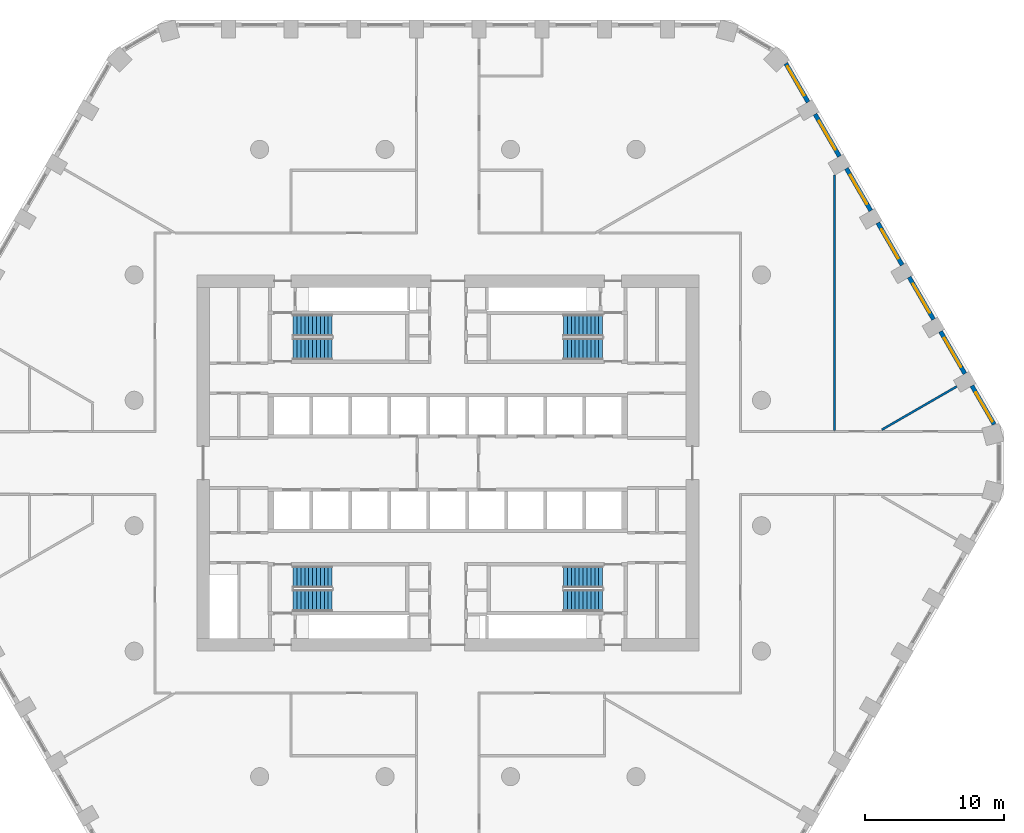
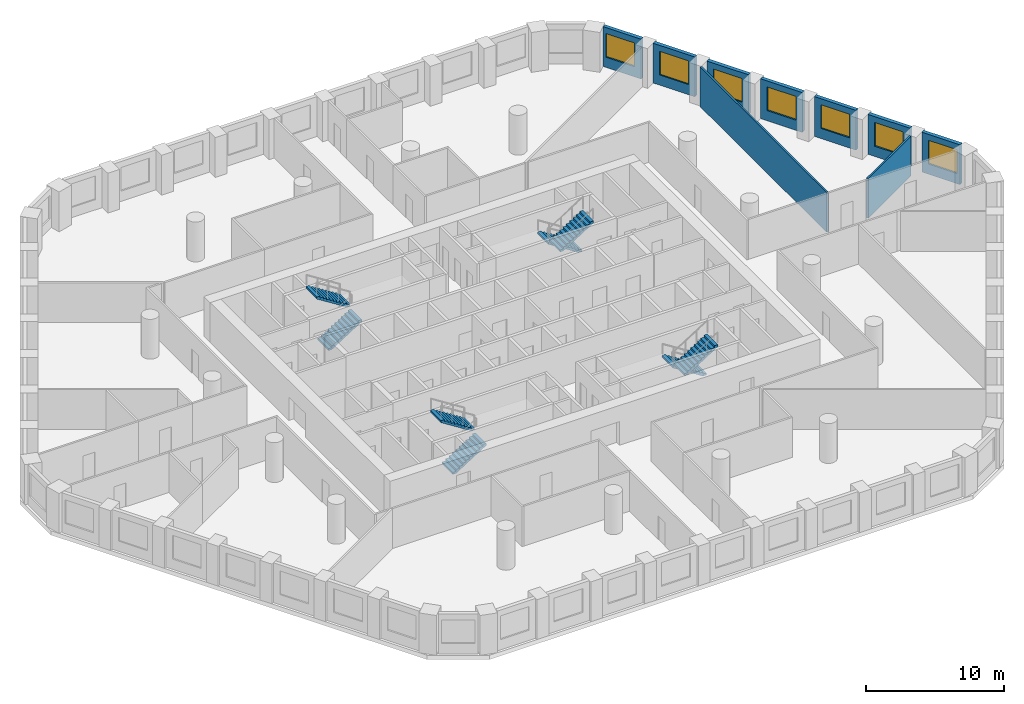
# One storey, part 9 of 10: 9 walls, 8 stair flights, 7 windows, 7 openings, 4 elements without a shape of their own.
"""IFC4 building model written with IfcOpenShell, lengths in metres."""

import ifcopenshell
import ifcopenshell.guid

model = None  # the IFC model being written
_history = None  # IfcOwnerHistory: only IFC2X3 demands one
_inside = {}  # id of a spatial element -> (the spatial element, [elements in it])
_under = {}  # id of a project, library or spatial element -> (it, [spatial elements below it])
_declared = {}  # id of a project -> (the project, [libraries it declares])
_typed = {}  # id of a type object -> (the type object, [elements of that type])
_made_of = {}  # id of a material, layer set ... -> (it, [elements and type objects made of it])


def new_model(schema):
    """Start an empty IFC model of exactly this schema.

    Asked for "IFC4X3", IfcOpenShell would pick the latest addendum, in which some entities
    have other attributes; the version numbers below select the first issue.
    IFC2X3 requires an IfcOwnerHistory on every rooted entity: one is made here for all.
    """
    global model, _history
    if schema == "IFC4X3":
        model = ifcopenshell.file(schema_version=(4, 3, 0, 0))
    else:
        model = ifcopenshell.file(schema=schema)
    _inside.clear()
    _under.clear()
    _declared.clear()
    _typed.clear()
    _made_of.clear()
    _history = None
    if model.schema == "IFC2X3":
        org = make("IfcOrganization", Name="unknown")
        user = make(
            "IfcPersonAndOrganization",
            ThePerson=make("IfcPerson", FamilyName="unknown"),
            TheOrganization=org,
        )
        app = make(
            "IfcApplication",
            ApplicationDeveloper=org,
            Version="unknown",
            ApplicationFullName="unknown",
            ApplicationIdentifier="unknown",
        )
        _history = make(
            "IfcOwnerHistory",
            OwningUser=user,
            OwningApplication=app,
            ChangeAction="ADDED",
            CreationDate=0,
        )
    return model


def make(cls, **values):
    """One entity of the class cls with the attributes given. An attribute that is None is left unset."""
    return model.create_entity(
        cls, **{name: value for name, value in values.items() if value is not None}
    )


def rooted(cls, **values):
    """An entity with a GlobalId (a new one), such as an element, a storey or a relation."""
    return make(cls, GlobalId=ifcopenshell.guid.new(), OwnerHistory=_history, **values)


def si_unit(unit_type, name, prefix=None):
    """IfcSIUnit, for example si_unit("LENGTHUNIT", "METRE", prefix="MILLI")."""
    return make("IfcSIUnit", UnitType=unit_type, Prefix=prefix, Name=name)


def assignment(units):
    """IfcUnitAssignment: the units of a project."""
    return None if units is None else make("IfcUnitAssignment", Units=units)


def point(xyz):
    """IfcCartesianPoint."""
    return None if xyz is None else make("IfcCartesianPoint", Coordinates=xyz)


def direction(xyz):
    """IfcDirection."""
    return None if xyz is None else make("IfcDirection", DirectionRatios=xyz)


def frame(location, z_axis=None, x_axis=None):
    """IfcAxis2Placement3D, a coordinate frame: its origin and axes. An axis left out is left unset."""
    return make(
        "IfcAxis2Placement3D",
        Location=point(location),
        Axis=direction(z_axis),
        RefDirection=direction(x_axis),
    )


def frame_2d(location, x_axis=None):
    """IfcAxis2Placement2D, a coordinate frame in the plane: its origin and x axis."""
    return make(
        "IfcAxis2Placement2D", Location=point(location), RefDirection=direction(x_axis)
    )


def origin():
    """The frame at (0, 0, 0) with its axes left unset."""
    return frame((0.0, 0.0, 0.0))


def place(relative_to, where):
    """IfcLocalPlacement: puts the frame where relative to a parent placement (None: the world)."""
    return make(
        "IfcLocalPlacement", PlacementRelTo=relative_to, RelativePlacement=where
    )


def context(
    kind, dimensions, precision=None, world=None, true_north=None, identifier=None
):
    """IfcGeometricRepresentationContext, for example the 3D "Model" context."""
    return make(
        "IfcGeometricRepresentationContext",
        ContextIdentifier=identifier,
        ContextType=kind,
        CoordinateSpaceDimension=dimensions,
        Precision=precision,
        WorldCoordinateSystem=world,
        TrueNorth=true_north,
    )


def subcontext(parent, identifier, kind, view, scale=None):
    """IfcGeometricRepresentationSubContext, for example "Body" below "Model"."""
    return make(
        "IfcGeometricRepresentationSubContext",
        ContextIdentifier=identifier,
        ContextType=kind,
        ParentContext=parent,
        TargetScale=scale,
        TargetView=view,
    )


def project(units=None, contexts=None):
    """IfcProject with its units and contexts."""
    return rooted(
        "IfcProject",
        Name="project",
        RepresentationContexts=contexts,
        UnitsInContext=assignment(units),
    )


def spatial(cls, under=None, at=None, **own):
    """A site, building, storey or space (cls), placed at a placement, below another one or the project."""
    s = rooted(cls, ObjectPlacement=at, **own)
    if under is not None:
        _under.setdefault(under.id(), (under, []))[1].append(s)
    return s


def polyline(points):
    """IfcPolyline through the points."""
    return make("IfcPolyline", Points=[point(p) for p in points])


def profile(cls, at=None, kind="AREA", **sizes):
    """A parametric profile (cls). Its sizes go by their IFC names, for example OverallWidth=200.0."""
    return make(cls, ProfileType=kind, Position=at, **sizes)


def rectangle(**sizes):
    """IfcRectangleProfileDef."""
    return profile("IfcRectangleProfileDef", **sizes)


def outline(outer, holes=None, kind="AREA"):
    """IfcArbitraryClosedProfileDef: a profile drawn as a closed curve; with holes, ...WithVoids."""
    if holes is None:
        return make("IfcArbitraryClosedProfileDef", ProfileType=kind, OuterCurve=outer)
    return make(
        "IfcArbitraryProfileDefWithVoids",
        ProfileType=kind,
        OuterCurve=outer,
        InnerCurves=holes,
    )


def extrude(swept, where, along, depth):
    """IfcExtrudedAreaSolid: the profile swept, set in the frame where, extruded along a direction by depth."""
    return make(
        "IfcExtrudedAreaSolid",
        SweptArea=swept,
        Position=where,
        ExtrudedDirection=direction(along),
        Depth=depth,
    )


def shape(context_of_items, identifier, shape_type, items):
    """IfcShapeRepresentation: the items that make up one representation, for example the "Body"."""
    return make(
        "IfcShapeRepresentation",
        ContextOfItems=context_of_items,
        RepresentationIdentifier=identifier,
        RepresentationType=shape_type,
        Items=items,
    )


def material(Name=None, Category=None):
    """IfcMaterial."""
    return make("IfcMaterial", Name=Name, Category=Category)


def layer(
    of_material, thickness, ventilated=None, Name=None, Category=None, Priority=None
):
    """IfcMaterialLayer: one layer of a wall or slab, of a material (None: an air gap)."""
    return make(
        "IfcMaterialLayer",
        Material=of_material,
        LayerThickness=thickness,
        IsVentilated=ventilated,
        Name=Name,
        Category=Category,
        Priority=Priority,
    )


def layer_set(layers, Name=None):
    """IfcMaterialLayerSet."""
    return make("IfcMaterialLayerSet", MaterialLayers=layers, LayerSetName=Name)


def made_of(thing, what):
    """Note that an element or type object is made of a material, layer set ...; save() writes the relation."""
    if what is not None:
        _made_of.setdefault(what.id(), (what, []))[1].append(thing)
    return thing


def type_object(cls, material=None, **own):
    """A type object (cls), such as IfcWallType, which elements share."""
    return made_of(rooted(cls, **own), material)


def element(
    cls,
    number,
    at=None,
    inside=None,
    cuts=None,
    type_object=None,
    material=None,
    context=None,
    identifier="Body",
    shape_type=None,
    held_by="IfcProductDefinitionShape",
    body=None,
    shapes=None,
    **own,
):
    """One element of the class cls, such as IfcWall. Its Tag is "e" and its number.

    at: its placement. inside: the storey or other place that contains it. cuts: it is an
    opening in that element (IfcRelVoidsElement). A single representation is given by context,
    identifier, shape_type and body (its items); several are given by shapes. held_by: the class
    of the entity that holds the representations. save() writes the other relations.
    """
    e = rooted(cls, Tag="e%d" % number, ObjectPlacement=at, **own)
    if body is not None:
        shapes = [shape(context, identifier, shape_type, body)]
    if shapes is not None:
        e.Representation = make(held_by, Representations=shapes)
    if inside is not None:
        _inside.setdefault(inside.id(), (inside, []))[1].append(e)
    if cuts is not None:
        rooted(
            "IfcRelVoidsElement", RelatingBuildingElement=cuts, RelatedOpeningElement=e
        )
    if type_object is not None:
        _typed.setdefault(type_object.id(), (type_object, []))[1].append(e)
    return made_of(e, material)


def fill(opening, filler):
    """IfcRelFillsElement: the door or window that sits in an opening."""
    return rooted(
        "IfcRelFillsElement",
        RelatingOpeningElement=opening,
        RelatedBuildingElement=filler,
    )


def aggregate(whole, parts):
    """IfcRelAggregates: a whole, such as a stair, and the parts it consists of."""
    return rooted("IfcRelAggregates", RelatingObject=whole, RelatedObjects=parts)


def save(model, path):
    """Write the relations noted so far, then the file.

    IfcRelAggregates (storeys below a building ...), IfcRelContainedInSpatialStructure (elements
    in a storey), IfcRelDefinesByType, IfcRelAssociatesMaterial and IfcRelDeclares: one each for
    every whole, place, type object, material and project.
    """
    for whole, parts in _under.values():
        aggregate(whole, parts)
    for where, things in _inside.values():
        rooted(
            "IfcRelContainedInSpatialStructure",
            RelatedElements=things,
            RelatingStructure=where,
        )
    for kind, things in _typed.values():
        rooted("IfcRelDefinesByType", RelatedObjects=things, RelatingType=kind)
    for what, things in _made_of.values():
        rooted("IfcRelAssociatesMaterial", RelatedObjects=things, RelatingMaterial=what)
    for by, libraries in _declared.values():
        rooted("IfcRelDeclares", RelatingContext=by, RelatedDefinitions=libraries)
    model.write(path)


model = new_model("IFC4")

# Units and contexts
model_context = context("Model", 3, precision=1e-05, world=origin(), true_north=direction((0.0, 1.0)))
body_context = subcontext(model_context, "Body", "Model", "MODEL_VIEW")
ifc_project = project(units=[si_unit("LENGTHUNIT", "METRE"), si_unit("AREAUNIT", "SQUARE_METRE"), si_unit("VOLUMEUNIT", "CUBIC_METRE"), si_unit("PLANEANGLEUNIT", "RADIAN"), si_unit("MASSUNIT", "GRAM", prefix="KILO")], contexts=[model_context])

# Site, building, storey
site_placement = place(None, origin())
site = spatial("IfcSite", under=ifc_project, at=site_placement, CompositionType="ELEMENT")
building_placement = place(site_placement, origin())
building = spatial("IfcBuilding", under=site, at=building_placement, Name="Dhurran Vertical Campus", CompositionType="ELEMENT")
storey_placement = place(building_placement, frame((0.0, 0.0, 108.60009765625)))
storey = spatial("IfcBuildingStorey", under=building, at=storey_placement, Name="L26", CompositionType="ELEMENT", Elevation=108.60009765625)

# Wall, opening, window
ifc_material_1 = material(Name="Precast concrete C50/60", Category="concrete")
ifc_layer_1 = layer(ifc_material_1, 0.300048828125)
ifc_layer_set_1 = layer_set([ifc_layer_1], Name="Precast concrete C50/60")
wall_type_1 = type_object("IfcWallType", Name="Precast spandrel wall 300", PredefinedType="SOLIDWALL", material=ifc_layer_set_1)
wall_1_placement = place(storey_placement, frame((39.1904296875, 2.774169921875, 0.0), z_axis=(0.0, 0.0, 1.0), x_axis=(-0.500004907028, 0.866022570692, 0.0)))
wall_1 = element("IfcWall", 1, at=wall_1_placement, inside=storey, type_object=wall_type_1, Name="EW1 L26.18", PredefinedType="SOLIDWALL", context=body_context, shape_type="SweptSolid", body=[
    extrude(rectangle(XDim=3.1923828125, YDim=0.300048828125, at=frame_2d((1.59619140625, 0.0))), origin(), (0.0, 0.0, 1.0), 3.52490234375),
])
opening_1_placement = place(wall_1_placement, frame((0.242919921875, 0.0, 0.89990234375)))
opening_1 = element("IfcOpeningElement", 2, at=opening_1_placement, cuts=wall_1, Name="Opening WT1", PredefinedType="OPENING", context=body_context, shape_type="SweptSolid", body=[
    extrude(rectangle(XDim=2.39990234375, YDim=2.10009765625, at=frame_2d((1.199951171875, 1.050048828125))), frame((0.0, 0.159912109375, 0.0), z_axis=(0.0, -1.0, 0.0), x_axis=(1.0, 0.0, 0.0)), (0.0, 0.0, 1.0), 0.320068359375),
])
ifc_material_2 = material(Name="Aluminium frame with solar-control glass", Category="aluminium")
window_type = type_object("IfcWindowType", Name="Punched window 2400 x 2100", PartitioningType="SINGLE_PANEL", PredefinedType="WINDOW", material=ifc_material_2)
window_1_placement = place(opening_1_placement, origin())
window_1 = element("IfcWindow", 3, at=window_1_placement, inside=storey, type_object=window_type, Name="WT1 L26.18", OverallHeight=2.10009765625, OverallWidth=2.39990234375, PartitioningType="SINGLE_PANEL", PredefinedType="WINDOW", context=body_context, shape_type="SweptSolid", body=[
    extrude(rectangle(XDim=2.39990234375, YDim=2.10009765625, at=frame_2d((1.199951171875, 1.050048828125))), frame((0.0, 0.030029296875, 0.0), z_axis=(0.0, -1.0, 0.0), x_axis=(1.0, 0.0, 0.0)), (0.0, 0.0, 1.0), 0.06005859375),
])
fill(opening_1, window_1)

wall_2_placement = place(storey_placement, frame((37.09375, 6.405517578125, 0.0), z_axis=(0.0, 0.0, 1.0), x_axis=(-0.499996256241, 0.866027565234, 0.0)))
wall_2 = element("IfcWall", 4, at=wall_2_placement, inside=storey, type_object=wall_type_1, Name="EW1 L26.19", PredefinedType="SOLIDWALL", context=body_context, shape_type="SweptSolid", body=[
    extrude(rectangle(XDim=3.4990234375, YDim=0.300048828125, at=frame_2d((1.74951171875, 0.0))), origin(), (0.0, 0.0, 1.0), 3.52490234375),
])
opening_2_placement = place(wall_2_placement, frame((0.549560546875, 0.0, 0.89990234375)))
opening_2 = element("IfcOpeningElement", 5, at=opening_2_placement, cuts=wall_2, Name="Opening WT1", PredefinedType="OPENING", context=body_context, shape_type="SweptSolid", body=[
    extrude(rectangle(XDim=2.39990234375, YDim=2.10009765625, at=frame_2d((1.199951171875, 1.050048828125))), frame((0.0, 0.159912109375, 0.0), z_axis=(0.0, -1.0, 0.0), x_axis=(1.0, 0.0, 0.0)), (0.0, 0.0, 1.0), 0.320068359375),
])
window_2_placement = place(opening_2_placement, origin())
window_2 = element("IfcWindow", 6, at=window_2_placement, inside=storey, type_object=window_type, Name="WT1 L26.19", OverallHeight=2.10009765625, OverallWidth=2.39990234375, PartitioningType="SINGLE_PANEL", PredefinedType="WINDOW", context=body_context, shape_type="SweptSolid", body=[
    extrude(rectangle(XDim=2.39990234375, YDim=2.10009765625, at=frame_2d((1.199951171875, 1.050048828125))), frame((0.0, 0.030029296875, 0.0), z_axis=(0.0, -1.0, 0.0), x_axis=(1.0, 0.0, 0.0)), (0.0, 0.0, 1.0), 0.06005859375),
])
fill(opening_2, window_2)

wall_3_placement = place(storey_placement, frame((34.84375, 10.302734375, 0.0), z_axis=(0.0, 0.0, 1.0), x_axis=(-0.499996256241, 0.866027565234, 0.0)))
wall_3 = element("IfcWall", 7, at=wall_3_placement, inside=storey, type_object=wall_type_1, Name="EW1 L26.20", PredefinedType="SOLIDWALL", context=body_context, shape_type="SweptSolid", body=[
    extrude(rectangle(XDim=3.4990234375, YDim=0.300048828125, at=frame_2d((1.74951171875, 0.0))), origin(), (0.0, 0.0, 1.0), 3.52490234375),
])
opening_3_placement = place(wall_3_placement, frame((0.549560546875, 0.0, 0.89990234375)))
opening_3 = element("IfcOpeningElement", 8, at=opening_3_placement, cuts=wall_3, Name="Opening WT1", PredefinedType="OPENING", context=body_context, shape_type="SweptSolid", body=[
    extrude(rectangle(XDim=2.39990234375, YDim=2.10009765625, at=frame_2d((1.199951171875, 1.050048828125))), frame((0.0, 0.159912109375, 0.0), z_axis=(0.0, -1.0, 0.0), x_axis=(1.0, 0.0, 0.0)), (0.0, 0.0, 1.0), 0.320068359375),
])
window_3_placement = place(opening_3_placement, origin())
window_3 = element("IfcWindow", 9, at=window_3_placement, inside=storey, type_object=window_type, Name="WT1 L26.20", OverallHeight=2.10009765625, OverallWidth=2.39990234375, PartitioningType="SINGLE_PANEL", PredefinedType="WINDOW", context=body_context, shape_type="SweptSolid", body=[
    extrude(rectangle(XDim=2.39990234375, YDim=2.10009765625, at=frame_2d((1.199951171875, 1.050048828125))), frame((0.0, 0.030029296875, 0.0), z_axis=(0.0, -1.0, 0.0), x_axis=(1.0, 0.0, 0.0)), (0.0, 0.0, 1.0), 0.06005859375),
])
fill(opening_3, window_3)

wall_4_placement = place(storey_placement, frame((32.59375, 14.19970703125, 0.0), z_axis=(0.0, 0.0, 1.0), x_axis=(-0.499996256241, 0.866027565234, 0.0)))
wall_4 = element("IfcWall", 10, at=wall_4_placement, inside=storey, type_object=wall_type_1, Name="EW1 L26.21", PredefinedType="SOLIDWALL", context=body_context, shape_type="SweptSolid", body=[
    extrude(rectangle(XDim=3.4990234375, YDim=0.300048828125, at=frame_2d((1.74951171875, 0.0))), origin(), (0.0, 0.0, 1.0), 3.52490234375),
])
opening_4_placement = place(wall_4_placement, frame((0.549560546875, 0.0, 0.89990234375)))
opening_4 = element("IfcOpeningElement", 11, at=opening_4_placement, cuts=wall_4, Name="Opening WT1", PredefinedType="OPENING", context=body_context, shape_type="SweptSolid", body=[
    extrude(rectangle(XDim=2.39990234375, YDim=2.10009765625, at=frame_2d((1.199951171875, 1.050048828125))), frame((0.0, 0.159912109375, 0.0), z_axis=(0.0, -1.0, 0.0), x_axis=(1.0, 0.0, 0.0)), (0.0, 0.0, 1.0), 0.320068359375),
])
window_4_placement = place(opening_4_placement, origin())
window_4 = element("IfcWindow", 12, at=window_4_placement, inside=storey, type_object=window_type, Name="WT1 L26.21", OverallHeight=2.10009765625, OverallWidth=2.39990234375, PartitioningType="SINGLE_PANEL", PredefinedType="WINDOW", context=body_context, shape_type="SweptSolid", body=[
    extrude(rectangle(XDim=2.39990234375, YDim=2.10009765625, at=frame_2d((1.199951171875, 1.050048828125))), frame((0.0, 0.030029296875, 0.0), z_axis=(0.0, -1.0, 0.0), x_axis=(1.0, 0.0, 0.0)), (0.0, 0.0, 1.0), 0.06005859375),
])
fill(opening_4, window_4)

wall_5_placement = place(storey_placement, frame((30.34375, 18.096923828125, 0.0), z_axis=(0.0, 0.0, 1.0), x_axis=(-0.499996256241, 0.866027565234, 0.0)))
wall_5 = element("IfcWall", 13, at=wall_5_placement, inside=storey, type_object=wall_type_1, Name="EW1 L26.22", PredefinedType="SOLIDWALL", context=body_context, shape_type="SweptSolid", body=[
    extrude(rectangle(XDim=3.4990234375, YDim=0.300048828125, at=frame_2d((1.74951171875, 0.0))), origin(), (0.0, 0.0, 1.0), 3.52490234375),
])
opening_5_placement = place(wall_5_placement, frame((0.549560546875, 0.0, 0.89990234375)))
opening_5 = element("IfcOpeningElement", 14, at=opening_5_placement, cuts=wall_5, Name="Opening WT1", PredefinedType="OPENING", context=body_context, shape_type="SweptSolid", body=[
    extrude(rectangle(XDim=2.39990234375, YDim=2.10009765625, at=frame_2d((1.199951171875, 1.050048828125))), frame((0.0, 0.159912109375, 0.0), z_axis=(0.0, -1.0, 0.0), x_axis=(1.0, 0.0, 0.0)), (0.0, 0.0, 1.0), 0.320068359375),
])
window_5_placement = place(opening_5_placement, origin())
window_5 = element("IfcWindow", 15, at=window_5_placement, inside=storey, type_object=window_type, Name="WT1 L26.22", OverallHeight=2.10009765625, OverallWidth=2.39990234375, PartitioningType="SINGLE_PANEL", PredefinedType="WINDOW", context=body_context, shape_type="SweptSolid", body=[
    extrude(rectangle(XDim=2.39990234375, YDim=2.10009765625, at=frame_2d((1.199951171875, 1.050048828125))), frame((0.0, 0.030029296875, 0.0), z_axis=(0.0, -1.0, 0.0), x_axis=(1.0, 0.0, 0.0)), (0.0, 0.0, 1.0), 0.06005859375),
])
fill(opening_5, window_5)

wall_6_placement = place(storey_placement, frame((28.09375, 21.993896484375, 0.0), z_axis=(0.0, 0.0, 1.0), x_axis=(-0.499996256241, 0.866027565234, 0.0)))
wall_6 = element("IfcWall", 16, at=wall_6_placement, inside=storey, type_object=wall_type_1, Name="EW1 L26.23", PredefinedType="SOLIDWALL", context=body_context, shape_type="SweptSolid", body=[
    extrude(rectangle(XDim=3.4990234375, YDim=0.300048828125, at=frame_2d((1.74951171875, 0.0))), origin(), (0.0, 0.0, 1.0), 3.52490234375),
])
opening_6_placement = place(wall_6_placement, frame((0.549560546875, 0.0, 0.89990234375)))
opening_6 = element("IfcOpeningElement", 17, at=opening_6_placement, cuts=wall_6, Name="Opening WT1", PredefinedType="OPENING", context=body_context, shape_type="SweptSolid", body=[
    extrude(rectangle(XDim=2.39990234375, YDim=2.10009765625, at=frame_2d((1.199951171875, 1.050048828125))), frame((0.0, 0.159912109375, 0.0), z_axis=(0.0, -1.0, 0.0), x_axis=(1.0, 0.0, 0.0)), (0.0, 0.0, 1.0), 0.320068359375),
])
window_6_placement = place(opening_6_placement, origin())
window_6 = element("IfcWindow", 18, at=window_6_placement, inside=storey, type_object=window_type, Name="WT1 L26.23", OverallHeight=2.10009765625, OverallWidth=2.39990234375, PartitioningType="SINGLE_PANEL", PredefinedType="WINDOW", context=body_context, shape_type="SweptSolid", body=[
    extrude(rectangle(XDim=2.39990234375, YDim=2.10009765625, at=frame_2d((1.199951171875, 1.050048828125))), frame((0.0, 0.030029296875, 0.0), z_axis=(0.0, -1.0, 0.0), x_axis=(1.0, 0.0, 0.0)), (0.0, 0.0, 1.0), 0.06005859375),
])
fill(opening_6, window_6)

wall_7_placement = place(storey_placement, frame((25.84375, 25.89111328125, 0.0), z_axis=(0.0, 0.0, 1.0), x_axis=(-0.500004907028, 0.866022570692, 0.0)))
wall_7 = element("IfcWall", 19, at=wall_7_placement, inside=storey, type_object=wall_type_1, Name="EW1 L26.24", PredefinedType="SOLIDWALL", context=body_context, shape_type="SweptSolid", body=[
    extrude(rectangle(XDim=3.1923828125, YDim=0.300048828125, at=frame_2d((1.59619140625, 0.0))), origin(), (0.0, 0.0, 1.0), 3.52490234375),
])
opening_7_placement = place(wall_7_placement, frame((0.549560546875, 0.0, 0.89990234375)))
opening_7 = element("IfcOpeningElement", 20, at=opening_7_placement, cuts=wall_7, Name="Opening WT1", PredefinedType="OPENING", context=body_context, shape_type="SweptSolid", body=[
    extrude(rectangle(XDim=2.39990234375, YDim=2.10009765625, at=frame_2d((1.199951171875, 1.050048828125))), frame((0.0, 0.159912109375, 0.0), z_axis=(0.0, -1.0, 0.0), x_axis=(1.0, 0.0, 0.0)), (0.0, 0.0, 1.0), 0.320068359375),
])
window_7_placement = place(opening_7_placement, origin())
window_7 = element("IfcWindow", 21, at=window_7_placement, inside=storey, type_object=window_type, Name="WT1 L26.24", OverallHeight=2.10009765625, OverallWidth=2.39990234375, PartitioningType="SINGLE_PANEL", PredefinedType="WINDOW", context=body_context, shape_type="SweptSolid", body=[
    extrude(rectangle(XDim=2.39990234375, YDim=2.10009765625, at=frame_2d((1.199951171875, 1.050048828125))), frame((0.0, 0.030029296875, 0.0), z_axis=(0.0, -1.0, 0.0), x_axis=(1.0, 0.0, 0.0)), (0.0, 0.0, 1.0), 0.06005859375),
])
fill(opening_7, window_7)

# Walls
ifc_material_3 = material(Name="Gypsum board partition on steel studs", Category="steel")
ifc_layer_2 = layer(ifc_material_3, 0.14990234375)
ifc_layer_set_2 = layer_set([ifc_layer_2], Name="Gypsum board partition on steel studs")
wall_type_2 = type_object("IfcWallType", Name="fl-PW-150 fixed partition", PredefinedType="PARTITIONING", material=ifc_layer_set_2)
wall_8_placement = place(storey_placement, frame((27.75, 20.6494140625, 0.0), z_axis=(0.0, 0.0, 1.0), x_axis=(0.0, -1.0, 0.0)))
element("IfcWall", 22, at=wall_8_placement, inside=storey, type_object=wall_type_2, Name="Partition 26-58", PredefinedType="PARTITIONING", context=body_context, shape_type="SweptSolid", body=[
    extrude(rectangle(XDim=18.324462890625, YDim=0.14990234375, at=frame_2d((9.162109375, 0.0))), origin(), (0.0, 0.0, 1.0), 3.52490234375),
])
wall_9_placement = place(storey_placement, frame((36.50390625, 5.4873046875, 0.0), z_axis=(0.0, 0.0, 1.0), x_axis=(-0.866007197923, -0.500031532152, 0.0)))
element("IfcWall", 23, at=wall_9_placement, inside=storey, type_object=wall_type_2, Name="Partition 26-62", PredefinedType="PARTITIONING", context=body_context, shape_type="SweptSolid", body=[
    extrude(rectangle(XDim=6.19921875, YDim=0.14990234375, at=frame_2d((3.099609375, 0.0))), origin(), (0.0, 0.0, 1.0), 3.52490234375),
])

# Stair, stair flights
ifc_material_4 = material(Name="Concrete C40/50", Category="concrete")
stair_type = type_object("IfcStairType", Name="co-ST-CORE", PredefinedType="HALF_TURN_STAIR", material=ifc_material_4)
stair_1_placement = place(storey_placement, origin())
stair_1 = element("IfcStair", 24, at=stair_1_placement, inside=storey, type_object=stair_type, Name="L26 Protected exit stair ST1", PredefinedType="HALF_TURN_STAIR")
ifc_material_5 = material(Name="Concrete C40/50", Category="concrete")
stair_flight_type = type_object("IfcStairFlightType", Name="co-SFL-RC", PredefinedType="STRAIGHT", material=ifc_material_5)
stair_flight_1_placement = place(storey_placement, frame((-11.10009765625, 8.175048828125, 0.0), z_axis=(0.0, 0.0, 1.0), x_axis=(1.0, 0.0, 0.0)))
stair_flight_1 = element("IfcStairFlight", 25, at=stair_flight_1_placement, type_object=stair_flight_type, Name="ST1 flight 1", NumberOfRisers=11, NumberOfTreads=10, PredefinedType="STRAIGHT", RiserHeight=0.177272727, TreadLength=0.28, context=body_context, shape_type="SweptSolid", body=[
    extrude(outline(polyline([(0.0, 0.0), (0.0, 0.17724609375), (0.280029296875, 0.17724609375), (0.280029296875, 0.3544921875), (0.56005859375, 0.3544921875), (0.56005859375, 0.53173828125), (0.840087890625, 0.53173828125), (0.840087890625, 0.708984375), (1.1201171875, 0.708984375), (1.1201171875, 0.886474609375), (1.39990234375, 0.886474609375), (1.39990234375, 1.063720703125), (1.679931640625, 1.063720703125), (1.679931640625, 1.240966796875), (1.9599609375, 1.240966796875), (1.9599609375, 1.418212890625), (2.239990234375, 1.418212890625), (2.239990234375, 1.595458984375), (2.52001953125, 1.595458984375), (2.52001953125, 1.772705078125), (2.800048828125, 1.772705078125), (2.800048828125, 1.949951171875), (2.800048828125, 1.59521484375), (0.2802734375, 0.0), (0.0, 0.0)])), frame((0.0, 0.77490234375, 0.0), z_axis=(0.0, -1.0, 0.0), x_axis=(1.0, 0.0, 0.0)), (0.0, 0.0, 1.0), 1.550048828125),
])
stair_flight_2_placement = place(storey_placement, frame((-8.300048828125, 9.875, 1.949951171875), z_axis=(0.0, 0.0, 1.0), x_axis=(-1.0, 0.0, 0.0)))
stair_flight_2 = element("IfcStairFlight", 26, at=stair_flight_2_placement, type_object=stair_flight_type, Name="ST1 flight 2", NumberOfRisers=11, NumberOfTreads=10, PredefinedType="STRAIGHT", RiserHeight=0.177272727, TreadLength=0.28, context=body_context, shape_type="SweptSolid", body=[
    extrude(outline(polyline([(0.0, 0.0), (0.0, 0.17724609375), (0.280029296875, 0.17724609375), (0.280029296875, 0.3544921875), (0.56005859375, 0.3544921875), (0.56005859375, 0.53173828125), (0.840087890625, 0.53173828125), (0.840087890625, 0.708984375), (1.1201171875, 0.708984375), (1.1201171875, 0.886474609375), (1.39990234375, 0.886474609375), (1.39990234375, 1.063720703125), (1.679931640625, 1.063720703125), (1.679931640625, 1.240966796875), (1.9599609375, 1.240966796875), (1.9599609375, 1.418212890625), (2.239990234375, 1.418212890625), (2.239990234375, 1.595458984375), (2.52001953125, 1.595458984375), (2.52001953125, 1.772705078125), (2.800048828125, 1.772705078125), (2.800048828125, 1.949951171875), (2.800048828125, 1.59521484375), (0.2802734375, 0.0), (0.0, 0.0)])), frame((0.0, 0.77490234375, 0.0), z_axis=(0.0, -1.0, 0.0), x_axis=(1.0, 0.0, 0.0)), (0.0, 0.0, 1.0), 1.550048828125),
])
aggregate(stair_1, [stair_flight_1, stair_flight_2])

stair_2_placement = place(storey_placement, origin())
stair_2 = element("IfcStair", 27, at=stair_2_placement, inside=storey, type_object=stair_type, Name="L26 Protected exit stair ST2", PredefinedType="HALF_TURN_STAIR")
stair_flight_3_placement = place(storey_placement, frame((11.10009765625, 9.875, 0.0), z_axis=(0.0, 0.0, 1.0), x_axis=(-1.0, 0.0, 0.0)))
stair_flight_3 = element("IfcStairFlight", 28, at=stair_flight_3_placement, type_object=stair_flight_type, Name="ST2 flight 1", NumberOfRisers=11, NumberOfTreads=10, PredefinedType="STRAIGHT", RiserHeight=0.177272727, TreadLength=0.28, context=body_context, shape_type="SweptSolid", body=[
    extrude(outline(polyline([(0.0, 0.0), (0.0, 0.17724609375), (0.280029296875, 0.17724609375), (0.280029296875, 0.3544921875), (0.56005859375, 0.3544921875), (0.56005859375, 0.53173828125), (0.840087890625, 0.53173828125), (0.840087890625, 0.708984375), (1.1201171875, 0.708984375), (1.1201171875, 0.886474609375), (1.39990234375, 0.886474609375), (1.39990234375, 1.063720703125), (1.679931640625, 1.063720703125), (1.679931640625, 1.240966796875), (1.9599609375, 1.240966796875), (1.9599609375, 1.418212890625), (2.239990234375, 1.418212890625), (2.239990234375, 1.595458984375), (2.52001953125, 1.595458984375), (2.52001953125, 1.772705078125), (2.800048828125, 1.772705078125), (2.800048828125, 1.949951171875), (2.800048828125, 1.59521484375), (0.2802734375, 0.0), (0.0, 0.0)])), frame((0.0, 0.77490234375, 0.0), z_axis=(0.0, -1.0, 0.0), x_axis=(1.0, 0.0, 0.0)), (0.0, 0.0, 1.0), 1.550048828125),
])
stair_flight_4_placement = place(storey_placement, frame((8.300048828125, 8.175048828125, 1.949951171875), z_axis=(0.0, 0.0, 1.0), x_axis=(1.0, 0.0, 0.0)))
stair_flight_4 = element("IfcStairFlight", 29, at=stair_flight_4_placement, type_object=stair_flight_type, Name="ST2 flight 2", NumberOfRisers=11, NumberOfTreads=10, PredefinedType="STRAIGHT", RiserHeight=0.177272727, TreadLength=0.28, context=body_context, shape_type="SweptSolid", body=[
    extrude(outline(polyline([(0.0, 0.0), (0.0, 0.17724609375), (0.280029296875, 0.17724609375), (0.280029296875, 0.3544921875), (0.56005859375, 0.3544921875), (0.56005859375, 0.53173828125), (0.840087890625, 0.53173828125), (0.840087890625, 0.708984375), (1.1201171875, 0.708984375), (1.1201171875, 0.886474609375), (1.39990234375, 0.886474609375), (1.39990234375, 1.063720703125), (1.679931640625, 1.063720703125), (1.679931640625, 1.240966796875), (1.9599609375, 1.240966796875), (1.9599609375, 1.418212890625), (2.239990234375, 1.418212890625), (2.239990234375, 1.595458984375), (2.52001953125, 1.595458984375), (2.52001953125, 1.772705078125), (2.800048828125, 1.772705078125), (2.800048828125, 1.949951171875), (2.800048828125, 1.59521484375), (0.2802734375, 0.0), (0.0, 0.0)])), frame((0.0, 0.77490234375, 0.0), z_axis=(0.0, -1.0, 0.0), x_axis=(1.0, 0.0, 0.0)), (0.0, 0.0, 1.0), 1.550048828125),
])
aggregate(stair_2, [stair_flight_3, stair_flight_4])

stair_3_placement = place(storey_placement, origin())
stair_3 = element("IfcStair", 30, at=stair_3_placement, inside=storey, type_object=stair_type, Name="L26 Protected exit stair ST3", PredefinedType="HALF_TURN_STAIR")
stair_flight_5_placement = place(storey_placement, frame((-11.10009765625, -9.875, 0.0), z_axis=(0.0, 0.0, 1.0), x_axis=(1.0, 0.0, 0.0)))
stair_flight_5 = element("IfcStairFlight", 31, at=stair_flight_5_placement, type_object=stair_flight_type, Name="ST3 flight 1", NumberOfRisers=11, NumberOfTreads=10, PredefinedType="STRAIGHT", RiserHeight=0.177272727, TreadLength=0.28, context=body_context, shape_type="SweptSolid", body=[
    extrude(outline(polyline([(0.0, 0.0), (0.0, 0.17724609375), (0.280029296875, 0.17724609375), (0.280029296875, 0.3544921875), (0.56005859375, 0.3544921875), (0.56005859375, 0.53173828125), (0.840087890625, 0.53173828125), (0.840087890625, 0.708984375), (1.1201171875, 0.708984375), (1.1201171875, 0.886474609375), (1.39990234375, 0.886474609375), (1.39990234375, 1.063720703125), (1.679931640625, 1.063720703125), (1.679931640625, 1.240966796875), (1.9599609375, 1.240966796875), (1.9599609375, 1.418212890625), (2.239990234375, 1.418212890625), (2.239990234375, 1.595458984375), (2.52001953125, 1.595458984375), (2.52001953125, 1.772705078125), (2.800048828125, 1.772705078125), (2.800048828125, 1.949951171875), (2.800048828125, 1.59521484375), (0.2802734375, 0.0), (0.0, 0.0)])), frame((0.0, 0.77490234375, 0.0), z_axis=(0.0, -1.0, 0.0), x_axis=(1.0, 0.0, 0.0)), (0.0, 0.0, 1.0), 1.550048828125),
])
stair_flight_6_placement = place(storey_placement, frame((-8.300048828125, -8.175048828125, 1.949951171875), z_axis=(0.0, 0.0, 1.0), x_axis=(-1.0, 0.0, 0.0)))
stair_flight_6 = element("IfcStairFlight", 32, at=stair_flight_6_placement, type_object=stair_flight_type, Name="ST3 flight 2", NumberOfRisers=11, NumberOfTreads=10, PredefinedType="STRAIGHT", RiserHeight=0.177272727, TreadLength=0.28, context=body_context, shape_type="SweptSolid", body=[
    extrude(outline(polyline([(0.0, 0.0), (0.0, 0.17724609375), (0.280029296875, 0.17724609375), (0.280029296875, 0.3544921875), (0.56005859375, 0.3544921875), (0.56005859375, 0.53173828125), (0.840087890625, 0.53173828125), (0.840087890625, 0.708984375), (1.1201171875, 0.708984375), (1.1201171875, 0.886474609375), (1.39990234375, 0.886474609375), (1.39990234375, 1.063720703125), (1.679931640625, 1.063720703125), (1.679931640625, 1.240966796875), (1.9599609375, 1.240966796875), (1.9599609375, 1.418212890625), (2.239990234375, 1.418212890625), (2.239990234375, 1.595458984375), (2.52001953125, 1.595458984375), (2.52001953125, 1.772705078125), (2.800048828125, 1.772705078125), (2.800048828125, 1.949951171875), (2.800048828125, 1.59521484375), (0.2802734375, 0.0), (0.0, 0.0)])), frame((0.0, 0.77490234375, 0.0), z_axis=(0.0, -1.0, 0.0), x_axis=(1.0, 0.0, 0.0)), (0.0, 0.0, 1.0), 1.550048828125),
])
aggregate(stair_3, [stair_flight_5, stair_flight_6])

stair_4_placement = place(storey_placement, origin())
stair_4 = element("IfcStair", 33, at=stair_4_placement, inside=storey, type_object=stair_type, Name="L26 Protected exit stair ST4", PredefinedType="HALF_TURN_STAIR")
stair_flight_7_placement = place(storey_placement, frame((11.10009765625, -8.175048828125, 0.0), z_axis=(0.0, 0.0, 1.0), x_axis=(-1.0, 0.0, 0.0)))
stair_flight_7 = element("IfcStairFlight", 34, at=stair_flight_7_placement, type_object=stair_flight_type, Name="ST4 flight 1", NumberOfRisers=11, NumberOfTreads=10, PredefinedType="STRAIGHT", RiserHeight=0.177272727, TreadLength=0.28, context=body_context, shape_type="SweptSolid", body=[
    extrude(outline(polyline([(0.0, 0.0), (0.0, 0.17724609375), (0.280029296875, 0.17724609375), (0.280029296875, 0.3544921875), (0.56005859375, 0.3544921875), (0.56005859375, 0.53173828125), (0.840087890625, 0.53173828125), (0.840087890625, 0.708984375), (1.1201171875, 0.708984375), (1.1201171875, 0.886474609375), (1.39990234375, 0.886474609375), (1.39990234375, 1.063720703125), (1.679931640625, 1.063720703125), (1.679931640625, 1.240966796875), (1.9599609375, 1.240966796875), (1.9599609375, 1.418212890625), (2.239990234375, 1.418212890625), (2.239990234375, 1.595458984375), (2.52001953125, 1.595458984375), (2.52001953125, 1.772705078125), (2.800048828125, 1.772705078125), (2.800048828125, 1.949951171875), (2.800048828125, 1.59521484375), (0.2802734375, 0.0), (0.0, 0.0)])), frame((0.0, 0.77490234375, 0.0), z_axis=(0.0, -1.0, 0.0), x_axis=(1.0, 0.0, 0.0)), (0.0, 0.0, 1.0), 1.550048828125),
])
stair_flight_8_placement = place(storey_placement, frame((8.300048828125, -9.875, 1.949951171875), z_axis=(0.0, 0.0, 1.0), x_axis=(1.0, 0.0, 0.0)))
stair_flight_8 = element("IfcStairFlight", 35, at=stair_flight_8_placement, type_object=stair_flight_type, Name="ST4 flight 2", NumberOfRisers=11, NumberOfTreads=10, PredefinedType="STRAIGHT", RiserHeight=0.177272727, TreadLength=0.28, context=body_context, shape_type="SweptSolid", body=[
    extrude(outline(polyline([(0.0, 0.0), (0.0, 0.17724609375), (0.280029296875, 0.17724609375), (0.280029296875, 0.3544921875), (0.56005859375, 0.3544921875), (0.56005859375, 0.53173828125), (0.840087890625, 0.53173828125), (0.840087890625, 0.708984375), (1.1201171875, 0.708984375), (1.1201171875, 0.886474609375), (1.39990234375, 0.886474609375), (1.39990234375, 1.063720703125), (1.679931640625, 1.063720703125), (1.679931640625, 1.240966796875), (1.9599609375, 1.240966796875), (1.9599609375, 1.418212890625), (2.239990234375, 1.418212890625), (2.239990234375, 1.595458984375), (2.52001953125, 1.595458984375), (2.52001953125, 1.772705078125), (2.800048828125, 1.772705078125), (2.800048828125, 1.949951171875), (2.800048828125, 1.59521484375), (0.2802734375, 0.0), (0.0, 0.0)])), frame((0.0, 0.77490234375, 0.0), z_axis=(0.0, -1.0, 0.0), x_axis=(1.0, 0.0, 0.0)), (0.0, 0.0, 1.0), 1.550048828125),
])
aggregate(stair_4, [stair_flight_7, stair_flight_8])

save(model, "model.ifc")
